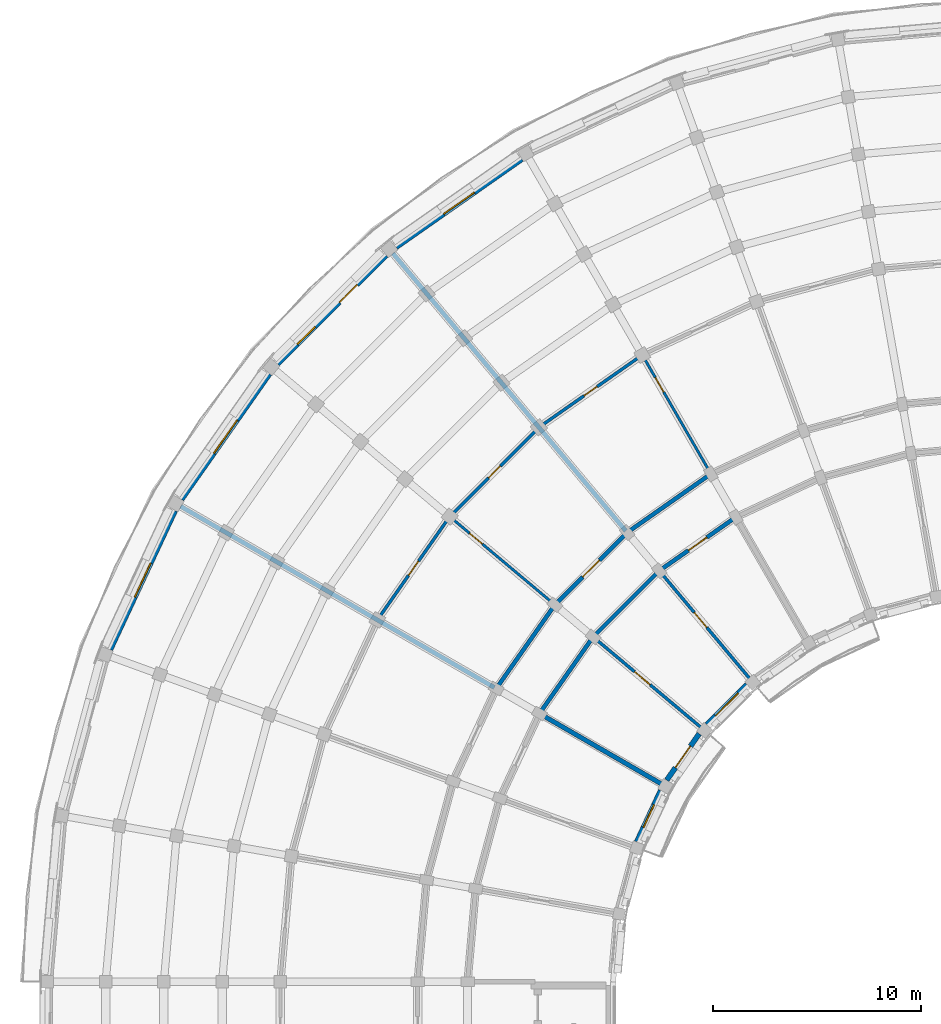
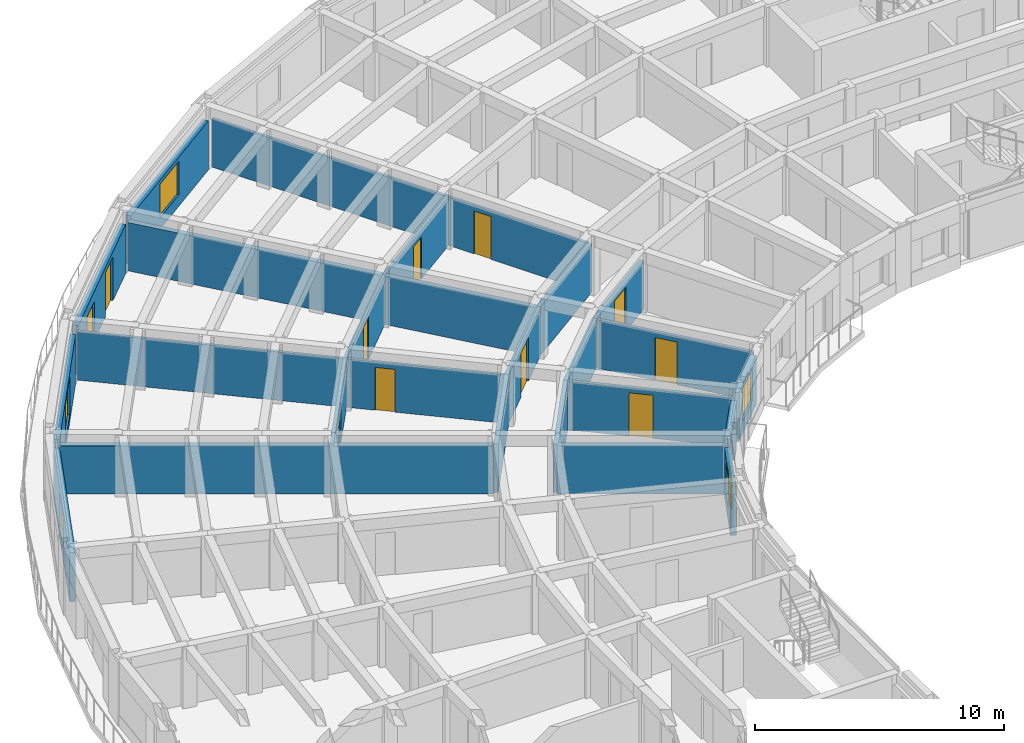
# One storey, part 13 of 36: 23 walls, 11 doors, 6 windows, 17 openings.
"""IFC4 building model written with IfcOpenShell, lengths in metres."""

import ifcopenshell
import ifcopenshell.guid

model = None  # the IFC model being written
_history = None  # IfcOwnerHistory: only IFC2X3 demands one
_inside = {}  # id of a spatial element -> (the spatial element, [elements in it])
_under = {}  # id of a project, library or spatial element -> (it, [spatial elements below it])
_declared = {}  # id of a project -> (the project, [libraries it declares])
_typed = {}  # id of a type object -> (the type object, [elements of that type])
_made_of = {}  # id of a material, layer set ... -> (it, [elements and type objects made of it])


def new_model(schema):
    """Start an empty IFC model of exactly this schema.

    Asked for "IFC4X3", IfcOpenShell would pick the latest addendum, in which some entities
    have other attributes; the version numbers below select the first issue.
    IFC2X3 requires an IfcOwnerHistory on every rooted entity: one is made here for all.
    """
    global model, _history
    if schema == "IFC4X3":
        model = ifcopenshell.file(schema_version=(4, 3, 0, 0))
    else:
        model = ifcopenshell.file(schema=schema)
    _inside.clear()
    _under.clear()
    _declared.clear()
    _typed.clear()
    _made_of.clear()
    _history = None
    if model.schema == "IFC2X3":
        org = make("IfcOrganization", Name="unknown")
        user = make(
            "IfcPersonAndOrganization",
            ThePerson=make("IfcPerson", FamilyName="unknown"),
            TheOrganization=org,
        )
        app = make(
            "IfcApplication",
            ApplicationDeveloper=org,
            Version="unknown",
            ApplicationFullName="unknown",
            ApplicationIdentifier="unknown",
        )
        _history = make(
            "IfcOwnerHistory",
            OwningUser=user,
            OwningApplication=app,
            ChangeAction="ADDED",
            CreationDate=0,
        )
    return model


def make(cls, **values):
    """One entity of the class cls with the attributes given. An attribute that is None is left unset."""
    return model.create_entity(
        cls, **{name: value for name, value in values.items() if value is not None}
    )


def rooted(cls, **values):
    """An entity with a GlobalId (a new one), such as an element, a storey or a relation."""
    return make(cls, GlobalId=ifcopenshell.guid.new(), OwnerHistory=_history, **values)


def si_unit(unit_type, name, prefix=None):
    """IfcSIUnit, for example si_unit("LENGTHUNIT", "METRE", prefix="MILLI")."""
    return make("IfcSIUnit", UnitType=unit_type, Prefix=prefix, Name=name)


def assignment(units):
    """IfcUnitAssignment: the units of a project."""
    return None if units is None else make("IfcUnitAssignment", Units=units)


def point(xyz):
    """IfcCartesianPoint."""
    return None if xyz is None else make("IfcCartesianPoint", Coordinates=xyz)


def direction(xyz):
    """IfcDirection."""
    return None if xyz is None else make("IfcDirection", DirectionRatios=xyz)


def frame(location, z_axis=None, x_axis=None):
    """IfcAxis2Placement3D, a coordinate frame: its origin and axes. An axis left out is left unset."""
    return make(
        "IfcAxis2Placement3D",
        Location=point(location),
        Axis=direction(z_axis),
        RefDirection=direction(x_axis),
    )


def frame_2d(location, x_axis=None):
    """IfcAxis2Placement2D, a coordinate frame in the plane: its origin and x axis."""
    return make(
        "IfcAxis2Placement2D", Location=point(location), RefDirection=direction(x_axis)
    )


def origin():
    """The frame at (0, 0, 0) with its axes left unset."""
    return frame((0.0, 0.0, 0.0))


def place(relative_to, where):
    """IfcLocalPlacement: puts the frame where relative to a parent placement (None: the world)."""
    return make(
        "IfcLocalPlacement", PlacementRelTo=relative_to, RelativePlacement=where
    )


def context(
    kind, dimensions, precision=None, world=None, true_north=None, identifier=None
):
    """IfcGeometricRepresentationContext, for example the 3D "Model" context."""
    return make(
        "IfcGeometricRepresentationContext",
        ContextIdentifier=identifier,
        ContextType=kind,
        CoordinateSpaceDimension=dimensions,
        Precision=precision,
        WorldCoordinateSystem=world,
        TrueNorth=true_north,
    )


def subcontext(parent, identifier, kind, view, scale=None):
    """IfcGeometricRepresentationSubContext, for example "Body" below "Model"."""
    return make(
        "IfcGeometricRepresentationSubContext",
        ContextIdentifier=identifier,
        ContextType=kind,
        ParentContext=parent,
        TargetScale=scale,
        TargetView=view,
    )


def project(units=None, contexts=None):
    """IfcProject with its units and contexts."""
    return rooted(
        "IfcProject",
        Name="project",
        RepresentationContexts=contexts,
        UnitsInContext=assignment(units),
    )


def spatial(cls, under=None, at=None, **own):
    """A site, building, storey or space (cls), placed at a placement, below another one or the project."""
    s = rooted(cls, ObjectPlacement=at, **own)
    if under is not None:
        _under.setdefault(under.id(), (under, []))[1].append(s)
    return s


def profile(cls, at=None, kind="AREA", **sizes):
    """A parametric profile (cls). Its sizes go by their IFC names, for example OverallWidth=200.0."""
    return make(cls, ProfileType=kind, Position=at, **sizes)


def rectangle(**sizes):
    """IfcRectangleProfileDef."""
    return profile("IfcRectangleProfileDef", **sizes)


def extrude(swept, where, along, depth):
    """IfcExtrudedAreaSolid: the profile swept, set in the frame where, extruded along a direction by depth."""
    return make(
        "IfcExtrudedAreaSolid",
        SweptArea=swept,
        Position=where,
        ExtrudedDirection=direction(along),
        Depth=depth,
    )


def shape(context_of_items, identifier, shape_type, items):
    """IfcShapeRepresentation: the items that make up one representation, for example the "Body"."""
    return make(
        "IfcShapeRepresentation",
        ContextOfItems=context_of_items,
        RepresentationIdentifier=identifier,
        RepresentationType=shape_type,
        Items=items,
    )


def material(Name=None, Category=None):
    """IfcMaterial."""
    return make("IfcMaterial", Name=Name, Category=Category)


def layer(
    of_material, thickness, ventilated=None, Name=None, Category=None, Priority=None
):
    """IfcMaterialLayer: one layer of a wall or slab, of a material (None: an air gap)."""
    return make(
        "IfcMaterialLayer",
        Material=of_material,
        LayerThickness=thickness,
        IsVentilated=ventilated,
        Name=Name,
        Category=Category,
        Priority=Priority,
    )


def layer_set(layers, Name=None):
    """IfcMaterialLayerSet."""
    return make("IfcMaterialLayerSet", MaterialLayers=layers, LayerSetName=Name)


def made_of(thing, what):
    """Note that an element or type object is made of a material, layer set ...; save() writes the relation."""
    if what is not None:
        _made_of.setdefault(what.id(), (what, []))[1].append(thing)
    return thing


def type_object(cls, material=None, **own):
    """A type object (cls), such as IfcWallType, which elements share."""
    return made_of(rooted(cls, **own), material)


def element(
    cls,
    number,
    at=None,
    inside=None,
    cuts=None,
    type_object=None,
    material=None,
    context=None,
    identifier="Body",
    shape_type=None,
    held_by="IfcProductDefinitionShape",
    body=None,
    shapes=None,
    **own,
):
    """One element of the class cls, such as IfcWall. Its Tag is "e" and its number.

    at: its placement. inside: the storey or other place that contains it. cuts: it is an
    opening in that element (IfcRelVoidsElement). A single representation is given by context,
    identifier, shape_type and body (its items); several are given by shapes. held_by: the class
    of the entity that holds the representations. save() writes the other relations.
    """
    e = rooted(cls, Tag="e%d" % number, ObjectPlacement=at, **own)
    if body is not None:
        shapes = [shape(context, identifier, shape_type, body)]
    if shapes is not None:
        e.Representation = make(held_by, Representations=shapes)
    if inside is not None:
        _inside.setdefault(inside.id(), (inside, []))[1].append(e)
    if cuts is not None:
        rooted(
            "IfcRelVoidsElement", RelatingBuildingElement=cuts, RelatedOpeningElement=e
        )
    if type_object is not None:
        _typed.setdefault(type_object.id(), (type_object, []))[1].append(e)
    return made_of(e, material)


def fill(opening, filler):
    """IfcRelFillsElement: the door or window that sits in an opening."""
    return rooted(
        "IfcRelFillsElement",
        RelatingOpeningElement=opening,
        RelatedBuildingElement=filler,
    )


def aggregate(whole, parts):
    """IfcRelAggregates: a whole, such as a stair, and the parts it consists of."""
    return rooted("IfcRelAggregates", RelatingObject=whole, RelatedObjects=parts)


def save(model, path):
    """Write the relations noted so far, then the file.

    IfcRelAggregates (storeys below a building ...), IfcRelContainedInSpatialStructure (elements
    in a storey), IfcRelDefinesByType, IfcRelAssociatesMaterial and IfcRelDeclares: one each for
    every whole, place, type object, material and project.
    """
    for whole, parts in _under.values():
        aggregate(whole, parts)
    for where, things in _inside.values():
        rooted(
            "IfcRelContainedInSpatialStructure",
            RelatedElements=things,
            RelatingStructure=where,
        )
    for kind, things in _typed.values():
        rooted("IfcRelDefinesByType", RelatedObjects=things, RelatingType=kind)
    for what, things in _made_of.values():
        rooted("IfcRelAssociatesMaterial", RelatedObjects=things, RelatingMaterial=what)
    for by, libraries in _declared.values():
        rooted("IfcRelDeclares", RelatingContext=by, RelatedDefinitions=libraries)
    model.write(path)


model = new_model("IFC4")

# Units and contexts
model_context = context("Model", 3, precision=1e-05, world=origin(), true_north=direction((0.0, 1.0)))
body_context = subcontext(model_context, "Body", "Model", "MODEL_VIEW")
ifc_project = project(units=[si_unit("LENGTHUNIT", "METRE"), si_unit("AREAUNIT", "SQUARE_METRE"), si_unit("VOLUMEUNIT", "CUBIC_METRE"), si_unit("PLANEANGLEUNIT", "RADIAN"), si_unit("MASSUNIT", "GRAM", prefix="KILO")], contexts=[model_context])

# Site, building, storey
site_placement = place(None, origin())
site = spatial("IfcSite", under=ifc_project, at=site_placement, CompositionType="ELEMENT")
building_placement = place(site_placement, origin())
building = spatial("IfcBuilding", under=site, at=building_placement, Name="Kiranvali Square Residences", CompositionType="ELEMENT")
storey_placement = place(building_placement, frame((0.0, 0.0, 37.050048828125)))
storey = spatial("IfcBuildingStorey", under=building, at=storey_placement, Name="L11", CompositionType="ELEMENT", Elevation=37.050048828125)

# Wall, opening, door
ifc_material_1 = material(Name="Autoclaved aerated concrete blockwork masonry", Category="masonry")
ifc_layer_1 = layer(ifc_material_1, 0.199951171875)
ifc_layer_set_1 = layer_set([ifc_layer_1], Name="Autoclaved aerated concrete blockwork masonry")
wall_type_1 = type_object("IfcWallType", Name="WL-COR-200", PredefinedType="STANDARD", material=ifc_layer_set_1)
wall_1_placement = place(storey_placement, frame((35.300048828125, 110.1435546875, 0.0), z_axis=(0.0, 0.0, 1.0), x_axis=(-0.819155404658, -0.573571637217, 0.0)))
wall_1 = element("IfcWall", 1, at=wall_1_placement, inside=storey, type_object=wall_type_1, Name="L11 architectural wall WL-L11-A-CCI-3", PredefinedType="STANDARD", context=body_context, shape_type="SweptSolid", body=[
    extrude(rectangle(XDim=4.497314453125, YDim=0.199951171875, at=frame_2d((2.24853515625, 0.0))), origin(), (0.0, 0.0, 1.0), 2.3720703125),
])
opening_1_placement = place(wall_1_placement, frame((1.708740234375, 0.0, 0.0)))
opening_1 = element("IfcOpeningElement", 2, at=opening_1_placement, cuts=wall_1, Name="Opening FD-APT-60C", PredefinedType="OPENING", context=body_context, shape_type="SweptSolid", body=[
    extrude(rectangle(XDim=1.080078125, YDim=2.14990234375, at=frame_2d((0.5400390625, 1.074951171875))), frame((0.0, 0.10986328125, 0.0), z_axis=(0.0, -1.0, 0.0), x_axis=(1.0, 0.0, 0.0)), (0.0, 0.0, 1.0), 0.219970703125),
])
ifc_material_2 = material(Name="Fire-rated acoustic hardwood and mineral-core door assembly", Category="wood")
door_type_1 = type_object("IfcDoorType", Name="DR-APT-1080", OperationType="NOTDEFINED", PredefinedType="DOOR", material=ifc_material_2)
door_1_placement = place(opening_1_placement, origin())
door_1 = element("IfcDoor", 3, at=door_1_placement, inside=storey, type_object=door_type_1, Name="L11 door DR-L11-0731 (DR-APT-1080)", OperationType="SINGLE_SWING_LEFT", OverallHeight=2.14990234375, OverallWidth=1.080078125, PredefinedType="DOOR", context=body_context, shape_type="SweptSolid", body=[
    extrude(rectangle(XDim=1.080078125, YDim=2.14990234375, at=frame_2d((0.5400390625, 1.074951171875))), frame((0.0, 0.02490234375, 0.0), z_axis=(0.0, -1.0, 0.0), x_axis=(1.0, 0.0, 0.0)), (0.0, 0.0, 1.0), 0.050048828125),
])
fill(opening_1, door_1)

# Walls
wall_2_placement = place(storey_placement, frame((34.10009765625, 112.221923828125, 0.0), z_axis=(0.0, 0.0, 1.0), x_axis=(-0.819140911474, -0.573592335331, 0.0)))
element("IfcWall", 4, at=wall_2_placement, inside=storey, type_object=wall_type_1, Name="L11 architectural wall WL-L11-A-CCO-3", PredefinedType="STANDARD", context=body_context, shape_type="SweptSolid", body=[
    extrude(rectangle(XDim=4.915771484375, YDim=0.199951171875, at=frame_2d((2.4580078125, 0.0))), origin(), (0.0, 0.0, 1.0), 2.3720703125),
])
wall_3_placement = place(storey_placement, frame((31.615966796875, 107.56396484375, 0.0), z_axis=(0.0, 0.0, 1.0), x_axis=(-0.707106781187, -0.707106781187, 0.0)))
element("IfcWall", 5, at=wall_3_placement, inside=storey, type_object=wall_type_1, Name="L11 architectural wall WL-L11-A-CCI-4", PredefinedType="STANDARD", context=body_context, shape_type="SweptSolid", body=[
    extrude(rectangle(XDim=4.4970703125, YDim=0.199951171875, at=frame_2d((2.24853515625, 0.0))), origin(), (0.0, 0.0, 1.0), 2.3720703125),
])

# Wall, opening, door
wall_4_placement = place(storey_placement, frame((30.073486328125, 109.40234375, 0.0), z_axis=(0.0, 0.0, 1.0), x_axis=(-0.707106781187, -0.707106781187, 0.0)))
wall_4 = element("IfcWall", 6, at=wall_4_placement, inside=storey, type_object=wall_type_1, Name="L11 architectural wall WL-L11-A-CCO-4", PredefinedType="STANDARD", context=body_context, shape_type="SweptSolid", body=[
    extrude(rectangle(XDim=4.91552734375, YDim=0.199951171875, at=frame_2d((2.457763671875, 0.0))), origin(), (0.0, 0.0, 1.0), 2.3720703125),
])
opening_2_placement = place(wall_4_placement, frame((1.8876953125, 0.0, 0.0)))
opening_2 = element("IfcOpeningElement", 7, at=opening_2_placement, cuts=wall_4, Name="Opening FD-APT-60D", PredefinedType="OPENING", context=body_context, shape_type="SweptSolid", body=[
    extrude(rectangle(XDim=1.139892578125, YDim=2.14990234375, at=frame_2d((0.56982421875, 1.074951171875))), frame((0.0, 0.10986328125, 0.0), z_axis=(0.0, -1.0, 0.0), x_axis=(1.0, 0.0, 0.0)), (0.0, 0.0, 1.0), 0.219970703125),
])
door_type_2 = type_object("IfcDoorType", Name="DR-APT-1140", OperationType="NOTDEFINED", PredefinedType="DOOR", material=ifc_material_2)
door_2_placement = place(opening_2_placement, origin())
door_2 = element("IfcDoor", 8, at=door_2_placement, inside=storey, type_object=door_type_2, Name="L11 door DR-L11-0723 (DR-APT-1140)", OperationType="SINGLE_SWING_LEFT", OverallHeight=2.14990234375, OverallWidth=1.139892578125, PredefinedType="DOOR", context=body_context, shape_type="SweptSolid", body=[
    extrude(rectangle(XDim=1.139892578125, YDim=2.14990234375, at=frame_2d((0.56982421875, 1.074951171875))), frame((0.0, 0.02490234375, 0.0), z_axis=(0.0, -1.0, 0.0), x_axis=(1.0, 0.0, 0.0)), (0.0, 0.0, 1.0), 0.050048828125),
])
fill(opening_2, door_2)

# Walls
wall_5_placement = place(storey_placement, frame((28.43603515625, 104.384033203125, 0.0), z_axis=(0.0, 0.0, 1.0), x_axis=(-0.573571637217, -0.819155404658, 0.0)))
element("IfcWall", 9, at=wall_5_placement, inside=storey, type_object=wall_type_1, Name="L11 architectural wall WL-L11-A-CCI-5", PredefinedType="STANDARD", context=body_context, shape_type="SweptSolid", body=[
    extrude(rectangle(XDim=4.497314453125, YDim=0.199951171875, at=frame_2d((2.24853515625, 0.0))), origin(), (0.0, 0.0, 1.0), 2.3720703125),
])
wall_6_placement = place(storey_placement, frame((26.59765625, 105.926513671875, 0.0), z_axis=(0.0, 0.0, 1.0), x_axis=(-0.573592335331, -0.819140911474, 0.0)))
element("IfcWall", 10, at=wall_6_placement, inside=storey, type_object=wall_type_1, Name="L11 architectural wall WL-L11-A-CCO-5", PredefinedType="STANDARD", context=body_context, shape_type="SweptSolid", body=[
    extrude(rectangle(XDim=4.915771484375, YDim=0.199951171875, at=frame_2d((2.4580078125, 0.0))), origin(), (0.0, 0.0, 1.0), 2.3720703125),
])
ifc_layer_2 = layer(ifc_material_1, 0.219970703125)
ifc_layer_set_2 = layer_set([ifc_layer_2], Name="Autoclaved aerated concrete blockwork masonry")
wall_type_2 = type_object("IfcWallType", Name="WL-DEM-220", PredefinedType="STANDARD", material=ifc_layer_set_2)
wall_7_placement = place(storey_placement, frame((30.009033203125, 109.47900390625, 0.0), z_axis=(0.0, 0.0, 1.0), x_axis=(-0.642784757967, 0.766046835987, 0.0)))
element("IfcWall", 11, at=wall_7_placement, inside=storey, type_object=wall_type_2, Name="L11 architectural wall WL-L11-A-RADO-4", PredefinedType="STANDARD", context=body_context, shape_type="SweptSolid", body=[
    extrude(rectangle(XDim=17.419921875, YDim=0.219970703125, at=frame_2d((8.7099609375, 0.0))), origin(), (0.0, 0.0, 1.0), 2.3720703125),
])
wall_8_placement = place(storey_placement, frame((31.74560546875, 97.300048828125, 0.0), z_axis=(0.0, 0.0, 1.0), x_axis=(-0.866026575979, 0.499997969693, 0.0)))
element("IfcWall", 12, at=wall_8_placement, inside=storey, type_object=wall_type_2, Name="L11 architectural wall WL-L11-A-RADI-6", PredefinedType="STANDARD", context=body_context, shape_type="SweptSolid", body=[
    extrude(rectangle(XDim=6.75, YDim=0.219970703125, at=frame_2d((3.375, 0.0))), origin(), (0.0, 0.0, 1.0), 2.3720703125),
])
wall_9_placement = place(storey_placement, frame((23.69140625, 101.949951171875, 0.0), z_axis=(0.0, 0.0, 1.0), x_axis=(-0.866026648973, 0.499997843263, 0.0)))
element("IfcWall", 13, at=wall_9_placement, inside=storey, type_object=wall_type_2, Name="L11 architectural wall WL-L11-A-RADO-6", PredefinedType="STANDARD", context=body_context, shape_type="SweptSolid", body=[
    extrude(rectangle(XDim=17.419921875, YDim=0.219970703125, at=frame_2d((8.7099609375, 0.0))), origin(), (0.0, 0.0, 1.0), 2.3720703125),
])

# Wall, opening, window
ifc_material_3 = material(Name="Breathable lime-rendered clay brick masonry", Category="masonry")
ifc_layer_3 = layer(ifc_material_3, 0.25)
ifc_layer_set_3 = layer_set([ifc_layer_3], Name="Breathable lime-rendered clay brick masonry")
wall_type_3 = type_object("IfcWallType", Name="WL-EXT-250", PredefinedType="STANDARD", material=ifc_layer_set_3)
wall_10_placement = place(storey_placement, frame((25.0048828125, 127.347900390625, 0.0), z_axis=(0.0, 0.0, 1.0), x_axis=(-0.819147839112, -0.573582441919, 0.0)))
wall_10 = element("IfcWall", 14, at=wall_10_placement, inside=storey, type_object=wall_type_3, Name="L11 exterior wall A-L11-CRV-03", PredefinedType="STANDARD", context=body_context, shape_type="SweptSolid", body=[
    extrude(rectangle(XDim=7.366943359375, YDim=0.25, at=frame_2d((3.68359375, 0.0))), origin(), (0.0, 0.0, 1.0), 2.411865234375),
])
opening_3_placement = place(wall_10_placement, frame((2.783447265625, 0.0, 0.56201171875)))
opening_3 = element("IfcOpeningElement", 15, at=opening_3_placement, cuts=wall_10, Name="Opening W-04", PredefinedType="OPENING", context=body_context, shape_type="SweptSolid", body=[
    extrude(rectangle(XDim=1.800048828125, YDim=1.64990234375, at=frame_2d((0.89990234375, 0.824951171875))), frame((0.0, 0.135009765625, 0.0), z_axis=(0.0, -1.0, 0.0), x_axis=(1.0, 0.0, 0.0)), (0.0, 0.0, 1.0), 0.27001953125),
])
ifc_material_4 = material(Name="Solar-control low-e double glazing", Category="glass")
window_type_1 = type_object("IfcWindowType", Name="WIN-RES-1800x1650", PartitioningType="DOUBLE_PANEL_VERTICAL", PredefinedType="WINDOW", material=ifc_material_4)
window_1_placement = place(opening_3_placement, origin())
window_1 = element("IfcWindow", 16, at=window_1_placement, inside=storey, type_object=window_type_1, Name="L11 recessed window A-L11-CRV-03", OverallHeight=1.64990234375, OverallWidth=1.800048828125, PartitioningType="DOUBLE_PANEL_VERTICAL", PredefinedType="WINDOW", context=body_context, shape_type="SweptSolid", body=[
    extrude(rectangle(XDim=1.800048828125, YDim=1.64990234375, at=frame_2d((0.89990234375, 0.824951171875))), frame((0.0, 0.030029296875, 0.0), z_axis=(0.0, -1.0, 0.0), x_axis=(1.0, 0.0, 0.0)), (0.0, 0.0, 1.0), 0.06005859375),
])
fill(opening_3, window_1)

# Wall, openings, door, window
wall_11_placement = place(storey_placement, frame((18.489990234375, 122.719482421875, 0.0), z_axis=(0.0, 0.0, 1.0), x_axis=(-0.707106781187, -0.707106781187, 0.0)))
wall_11 = element("IfcWall", 17, at=wall_11_placement, inside=storey, type_object=wall_type_3, Name="L11 exterior wall A-L11-CRV-04", PredefinedType="STANDARD", context=body_context, shape_type="SweptSolid", body=[
    extrude(rectangle(XDim=7.3671875, YDim=0.25, at=frame_2d((3.68359375, 0.0))), origin(), (0.0, 0.0, 1.0), 2.411865234375),
])
opening_4_placement = place(wall_11_placement, frame((4.83984375, 0.0, 0.412109375)))
opening_4 = element("IfcOpeningElement", 18, at=opening_4_placement, cuts=wall_11, Name="Opening W-06", PredefinedType="OPENING", context=body_context, shape_type="SweptSolid", body=[
    extrude(rectangle(XDim=1.199951171875, YDim=1.5, at=frame_2d((0.60009765625, 0.75))), frame((0.0, 0.135009765625, 0.0), z_axis=(0.0, -1.0, 0.0), x_axis=(1.0, 0.0, 0.0)), (0.0, 0.0, 1.0), 0.27001953125),
])
opening_5_placement = place(wall_11_placement, frame((1.978515625, 0.0, 0.0)))
opening_5 = element("IfcOpeningElement", 19, at=opening_5_placement, cuts=wall_11, Name="Opening ED-BAL-1", PredefinedType="OPENING", context=body_context, shape_type="SweptSolid", body=[
    extrude(rectangle(XDim=1.199951171875, YDim=2.14990234375, at=frame_2d((0.60009765625, 1.074951171875))), frame((0.0, 0.135009765625, 0.0), z_axis=(0.0, -1.0, 0.0), x_axis=(1.0, 0.0, 0.0)), (0.0, 0.0, 1.0), 0.27001953125),
])
ifc_material_5 = material(Name="Anodised bronze aluminium framing", Category="aluminium")
door_type_3 = type_object("IfcDoorType", Name="DR-BAL-1200", OperationType="NOTDEFINED", PredefinedType="DOOR", material=ifc_material_5)
door_3_placement = place(opening_5_placement, frame((1.199951171875, 0.0, 0.0), z_axis=(0.0, 0.0, 1.0), x_axis=(-1.0, 0.0, 0.0)))
door_3 = element("IfcDoor", 20, at=door_3_placement, inside=storey, type_object=door_type_3, Name="L11 balcony terrace door", OperationType="SINGLE_SWING_RIGHT", OverallHeight=2.14990234375, OverallWidth=1.199951171875, PredefinedType="DOOR", context=body_context, shape_type="SweptSolid", body=[
    extrude(rectangle(XDim=1.199951171875, YDim=2.14990234375, at=frame_2d((0.60009765625, 1.074951171875))), frame((0.0, 0.02490234375, 0.0), z_axis=(0.0, -1.0, 0.0), x_axis=(1.0, 0.0, 0.0)), (0.0, 0.0, 1.0), 0.050048828125),
])
fill(opening_5, door_3)
window_type_2 = type_object("IfcWindowType", Name="WIN-RES-1200x1500", PartitioningType="SINGLE_PANEL", PredefinedType="WINDOW", material=ifc_material_4)
window_2_placement = place(opening_4_placement, origin())
window_2 = element("IfcWindow", 21, at=window_2_placement, inside=storey, type_object=window_type_2, Name="L11 recessed window A-L11-CRV-04", OverallHeight=1.5, OverallWidth=1.199951171875, PartitioningType="SINGLE_PANEL", PredefinedType="WINDOW", context=body_context, shape_type="SweptSolid", body=[
    extrude(rectangle(XDim=1.199951171875, YDim=1.5, at=frame_2d((0.60009765625, 0.75))), frame((0.0, 0.030029296875, 0.0), z_axis=(0.0, -1.0, 0.0), x_axis=(1.0, 0.0, 0.0)), (0.0, 0.0, 1.0), 0.06005859375),
])
fill(opening_4, window_2)

# Wall, opening, window
wall_12_placement = place(storey_placement, frame((12.877685546875, 117.02978515625, 0.0), z_axis=(0.0, 0.0, 1.0), x_axis=(-0.573582441919, -0.819147839112, 0.0)))
wall_12 = element("IfcWall", 22, at=wall_12_placement, inside=storey, type_object=wall_type_3, Name="L11 exterior wall A-L11-CRV-05", PredefinedType="STANDARD", context=body_context, shape_type="SweptSolid", body=[
    extrude(rectangle(XDim=7.366943359375, YDim=0.25, at=frame_2d((3.68359375, 0.0))), origin(), (0.0, 0.0, 1.0), 2.411865234375),
])
opening_6_placement = place(wall_12_placement, frame((2.70849609375, 0.0, 0.362060546875)))
opening_6 = element("IfcOpeningElement", 23, at=opening_6_placement, cuts=wall_12, Name="Opening W-12", PredefinedType="OPENING", context=body_context, shape_type="SweptSolid", body=[
    extrude(rectangle(XDim=1.949951171875, YDim=1.85009765625, at=frame_2d((0.97509765625, 0.925048828125))), frame((0.0, 0.135009765625, 0.0), z_axis=(0.0, -1.0, 0.0), x_axis=(1.0, 0.0, 0.0)), (0.0, 0.0, 1.0), 0.27001953125),
])
window_type_3 = type_object("IfcWindowType", Name="WIN-RES-1950x1850", PartitioningType="DOUBLE_PANEL_VERTICAL", PredefinedType="WINDOW", material=ifc_material_4)
window_3_placement = place(opening_6_placement, origin())
window_3 = element("IfcWindow", 24, at=window_3_placement, inside=storey, type_object=window_type_3, Name="L11 recessed window A-L11-CRV-05", OverallHeight=1.85009765625, OverallWidth=1.949951171875, PartitioningType="DOUBLE_PANEL_VERTICAL", PredefinedType="WINDOW", context=body_context, shape_type="SweptSolid", body=[
    extrude(rectangle(XDim=1.949951171875, YDim=1.85009765625, at=frame_2d((0.97509765625, 0.925048828125))), frame((0.0, 0.030029296875, 0.0), z_axis=(0.0, -1.0, 0.0), x_axis=(1.0, 0.0, 0.0)), (0.0, 0.0, 1.0), 0.06005859375),
])
fill(opening_6, window_3)

wall_13_placement = place(storey_placement, frame((8.33837890625, 110.4521484375, 0.0), z_axis=(0.0, 0.0, 1.0), x_axis=(-0.422589730823, -0.906321090675, 0.0)))
wall_13 = element("IfcWall", 25, at=wall_13_placement, inside=storey, type_object=wall_type_3, Name="L11 exterior wall A-L11-CRV-06", PredefinedType="STANDARD", context=body_context, shape_type="SweptSolid", body=[
    extrude(rectangle(XDim=7.3671875, YDim=0.25, at=frame_2d((3.68359375, 0.0))), origin(), (0.0, 0.0, 1.0), 2.411865234375),
])
opening_7_placement = place(wall_13_placement, frame((2.783447265625, 0.0, 0.56201171875)))
opening_7 = element("IfcOpeningElement", 26, at=opening_7_placement, cuts=wall_13, Name="Opening W-04", PredefinedType="OPENING", context=body_context, shape_type="SweptSolid", body=[
    extrude(rectangle(XDim=1.800048828125, YDim=1.64990234375, at=frame_2d((0.89990234375, 0.824951171875))), frame((0.0, 0.135009765625, 0.0), z_axis=(0.0, -1.0, 0.0), x_axis=(1.0, 0.0, 0.0)), (0.0, 0.0, 1.0), 0.27001953125),
])
window_4_placement = place(opening_7_placement, origin())
window_4 = element("IfcWindow", 27, at=window_4_placement, inside=storey, type_object=window_type_1, Name="L11 recessed window A-L11-CRV-06", OverallHeight=1.64990234375, OverallWidth=1.800048828125, PartitioningType="DOUBLE_PANEL_VERTICAL", PredefinedType="WINDOW", context=body_context, shape_type="SweptSolid", body=[
    extrude(rectangle(XDim=1.800048828125, YDim=1.64990234375, at=frame_2d((0.89990234375, 0.824951171875))), frame((0.0, 0.030029296875, 0.0), z_axis=(0.0, -1.0, 0.0), x_axis=(1.0, 0.0, 0.0)), (0.0, 0.0, 1.0), 0.06005859375),
])
fill(opening_7, window_4)

wall_14_placement = place(storey_placement, frame((35.830078125, 102.093017578125, 0.0), z_axis=(0.0, 0.0, 1.0), x_axis=(-0.707106781187, -0.707106781187, 0.0)))
wall_14 = element("IfcWall", 28, at=wall_14_placement, inside=storey, type_object=wall_type_3, Name="L11 exterior wall A-L11-GDN-04", PredefinedType="STANDARD", context=body_context, shape_type="SweptSolid", body=[
    extrude(rectangle(XDim=2.7197265625, YDim=0.25, at=frame_2d((1.35986328125, 0.0))), origin(), (0.0, 0.0, 1.0), 2.421875),
])
opening_8_placement = place(wall_14_placement, frame((0.5849609375, 0.0, 0.6220703125)))
opening_8 = element("IfcOpeningElement", 29, at=opening_8_placement, cuts=wall_14, Name="Opening W-18", PredefinedType="OPENING", context=body_context, shape_type="SweptSolid", body=[
    extrude(rectangle(XDim=1.550048828125, YDim=1.60009765625, at=frame_2d((0.77490234375, 0.800048828125))), frame((0.0, 0.135009765625, 0.0), z_axis=(0.0, -1.0, 0.0), x_axis=(1.0, 0.0, 0.0)), (0.0, 0.0, 1.0), 0.27001953125),
])
window_type_4 = type_object("IfcWindowType", Name="WIN-GDN-1550x1600", PartitioningType="DOUBLE_PANEL_VERTICAL", PredefinedType="WINDOW", material=ifc_material_4)
window_5_placement = place(opening_8_placement, origin())
window_5 = element("IfcWindow", 30, at=window_5_placement, inside=storey, type_object=window_type_4, Name="L11 recessed window A-L11-GDN-04", OverallHeight=1.60009765625, OverallWidth=1.550048828125, PartitioningType="DOUBLE_PANEL_VERTICAL", PredefinedType="WINDOW", context=body_context, shape_type="SweptSolid", body=[
    extrude(rectangle(XDim=1.550048828125, YDim=1.60009765625, at=frame_2d((0.77490234375, 0.800048828125))), frame((0.0, 0.030029296875, 0.0), z_axis=(0.0, -1.0, 0.0), x_axis=(1.0, 0.0, 0.0)), (0.0, 0.0, 1.0), 0.06005859375),
])
fill(opening_8, window_5)

# Wall, opening, door
wall_15_placement = place(storey_placement, frame((33.5361328125, 99.727783203125, 0.0), z_axis=(0.0, 0.0, 1.0), x_axis=(-0.573612950921, -0.819126475299, 0.0)))
wall_15 = element("IfcWall", 31, at=wall_15_placement, inside=storey, type_object=wall_type_3, Name="L11 exterior wall A-L11-GDN-05", PredefinedType="STANDARD", context=body_context, shape_type="SweptSolid", body=[
    extrude(rectangle(XDim=2.7197265625, YDim=0.25, at=frame_2d((1.35986328125, 0.0))), origin(), (0.0, 0.0, 1.0), 2.421875),
])
opening_9_placement = place(wall_15_placement, frame((0.72998046875, 0.0, 0.0)))
opening_9 = element("IfcOpeningElement", 32, at=opening_9_placement, cuts=wall_15, Name="Opening ED-BAL-2", PredefinedType="OPENING", context=body_context, shape_type="SweptSolid", body=[
    extrude(rectangle(XDim=1.260009765625, YDim=2.14990234375, at=frame_2d((0.6298828125, 1.074951171875))), frame((0.0, 0.135009765625, 0.0), z_axis=(0.0, -1.0, 0.0), x_axis=(1.0, 0.0, 0.0)), (0.0, 0.0, 1.0), 0.27001953125),
])
door_type_4 = type_object("IfcDoorType", Name="DR-BAL-1260", OperationType="NOTDEFINED", PredefinedType="DOOR", material=ifc_material_5)
door_4_placement = place(opening_9_placement, origin())
door_4 = element("IfcDoor", 33, at=door_4_placement, inside=storey, type_object=door_type_4, Name="L11 balcony terrace door", OperationType="SINGLE_SWING_LEFT", OverallHeight=2.14990234375, OverallWidth=1.260009765625, PredefinedType="DOOR", context=body_context, shape_type="SweptSolid", body=[
    extrude(rectangle(XDim=1.260009765625, YDim=2.14990234375, at=frame_2d((0.6298828125, 1.074951171875))), frame((0.0, 0.02490234375, 0.0), z_axis=(0.0, -1.0, 0.0), x_axis=(1.0, 0.0, 0.0)), (0.0, 0.0, 1.0), 0.050048828125),
])
fill(opening_9, door_4)

# Wall, opening, window
wall_16_placement = place(storey_placement, frame((31.687744140625, 97.000244140625, 0.0), z_axis=(0.0, 0.0, 1.0), x_axis=(-0.422629903269, -0.906302358412, 0.0)))
wall_16 = element("IfcWall", 34, at=wall_16_placement, inside=storey, type_object=wall_type_3, Name="L11 exterior wall A-L11-GDN-06", PredefinedType="STANDARD", context=body_context, shape_type="SweptSolid", body=[
    extrude(rectangle(XDim=2.7197265625, YDim=0.25, at=frame_2d((1.35986328125, 0.0))), origin(), (0.0, 0.0, 1.0), 2.421875),
])
opening_10_placement = place(wall_16_placement, frame((0.759765625, 0.0, 0.721923828125)))
opening_10 = element("IfcOpeningElement", 35, at=opening_10_placement, cuts=wall_16, Name="Opening W-06", PredefinedType="OPENING", context=body_context, shape_type="SweptSolid", body=[
    extrude(rectangle(XDim=1.199951171875, YDim=1.5, at=frame_2d((0.60009765625, 0.75))), frame((0.0, 0.135009765625, 0.0), z_axis=(0.0, -1.0, 0.0), x_axis=(1.0, 0.0, 0.0)), (0.0, 0.0, 1.0), 0.27001953125),
])
window_6_placement = place(opening_10_placement, origin())
window_6 = element("IfcWindow", 36, at=window_6_placement, inside=storey, type_object=window_type_2, Name="L11 recessed window A-L11-GDN-06", OverallHeight=1.5, OverallWidth=1.199951171875, PartitioningType="SINGLE_PANEL", PredefinedType="WINDOW", context=body_context, shape_type="SweptSolid", body=[
    extrude(rectangle(XDim=1.199951171875, YDim=1.5, at=frame_2d((0.60009765625, 0.75))), frame((0.0, 0.030029296875, 0.0), z_axis=(0.0, -1.0, 0.0), x_axis=(1.0, 0.0, 0.0)), (0.0, 0.0, 1.0), 0.06005859375),
])
fill(opening_10, window_6)

# Wall, opening, door
ifc_material_6 = material(Name="Acoustic gypsum board drylined partition", Category="gypsum")
ifc_layer_4 = layer(ifc_material_6, 0.125)
ifc_layer_set_4 = layer_set([ifc_layer_4], Name="Acoustic gypsum board drylined partition")
wall_type_4 = type_object("IfcWallType", Name="WL-PRT-125", PredefinedType="PARTITIONING", material=ifc_layer_set_4)
wall_17_placement = place(storey_placement, frame((34.050048828125, 112.30859375, 0.0), z_axis=(0.0, 0.0, 1.0), x_axis=(-0.499997843263, 0.866026648973, 0.0)))
wall_17 = element("IfcWall", 37, at=wall_17_placement, inside=storey, type_object=wall_type_4, Name="L11 architectural wall WL-L11-A-RADO-3", PredefinedType="PARTITIONING", context=body_context, shape_type="SweptSolid", body=[
    extrude(rectangle(XDim=17.419921875, YDim=0.125, at=frame_2d((8.7099609375, 0.0))), origin(), (0.0, 0.0, 1.0), 2.3720703125),
])
opening_11_placement = place(wall_17_placement, frame((4.44970703125, 0.0, 0.0)))
opening_11 = element("IfcOpeningElement", 38, at=opening_11_placement, cuts=wall_17, Name="Opening ID-WET", PredefinedType="OPENING", context=body_context, shape_type="SweptSolid", body=[
    extrude(rectangle(XDim=0.800048828125, YDim=2.10009765625, at=frame_2d((0.39990234375, 1.050048828125))), frame((0.0, 0.072509765625, 0.0), z_axis=(0.0, -1.0, 0.0), x_axis=(1.0, 0.0, 0.0)), (0.0, 0.0, 1.0), 0.14501953125),
])
ifc_material_7 = material(Name="Solid seasoned teak hardwood joinery", Category="wood")
door_type_5 = type_object("IfcDoorType", Name="DR-WET-800", OperationType="NOTDEFINED", PredefinedType="DOOR", material=ifc_material_7)
door_5_placement = place(opening_11_placement, origin())
door_5 = element("IfcDoor", 39, at=door_5_placement, inside=storey, type_object=door_type_5, Name="L11 door DR-L11-0709 (DR-WET-800)", OperationType="SINGLE_SWING_LEFT", OverallHeight=2.10009765625, OverallWidth=0.800048828125, PredefinedType="DOOR", context=body_context, shape_type="SweptSolid", body=[
    extrude(rectangle(XDim=0.800048828125, YDim=2.10009765625, at=frame_2d((0.39990234375, 1.050048828125))), frame((0.0, 0.02490234375, 0.0), z_axis=(0.0, -1.0, 0.0), x_axis=(1.0, 0.0, 0.0)), (0.0, 0.0, 1.0), 0.050048828125),
])
fill(opening_11, door_5)

wall_18_placement = place(storey_placement, frame((26.52099609375, 105.990966796875, 0.0), z_axis=(0.0, 0.0, 1.0), x_axis=(-0.766046835987, 0.642784757967, 0.0)))
wall_18 = element("IfcWall", 40, at=wall_18_placement, inside=storey, type_object=wall_type_4, Name="L11 architectural wall WL-L11-A-RADO-5", PredefinedType="PARTITIONING", context=body_context, shape_type="SweptSolid", body=[
    extrude(rectangle(XDim=17.419921875, YDim=0.125, at=frame_2d((8.7099609375, 0.0))), origin(), (0.0, 0.0, 1.0), 2.3720703125),
])
opening_12_placement = place(wall_18_placement, frame((4.44970703125, 0.0, 0.0)))
opening_12 = element("IfcOpeningElement", 41, at=opening_12_placement, cuts=wall_18, Name="Opening ID-WET", PredefinedType="OPENING", context=body_context, shape_type="SweptSolid", body=[
    extrude(rectangle(XDim=0.800048828125, YDim=2.10009765625, at=frame_2d((0.39990234375, 1.050048828125))), frame((0.0, 0.072509765625, 0.0), z_axis=(0.0, -1.0, 0.0), x_axis=(1.0, 0.0, 0.0)), (0.0, 0.0, 1.0), 0.14501953125),
])
door_6_placement = place(opening_12_placement, frame((0.800048828125, 0.0, 0.0), z_axis=(0.0, 0.0, 1.0), x_axis=(-1.0, 0.0, 0.0)))
door_6 = element("IfcDoor", 42, at=door_6_placement, inside=storey, type_object=door_type_5, Name="L11 door DR-L11-0712 (DR-WET-800)", OperationType="SINGLE_SWING_RIGHT", OverallHeight=2.10009765625, OverallWidth=0.800048828125, PredefinedType="DOOR", context=body_context, shape_type="SweptSolid", body=[
    extrude(rectangle(XDim=0.800048828125, YDim=2.10009765625, at=frame_2d((0.39990234375, 1.050048828125))), frame((0.0, 0.02490234375, 0.0), z_axis=(0.0, -1.0, 0.0), x_axis=(1.0, 0.0, 0.0)), (0.0, 0.0, 1.0), 0.050048828125),
])
fill(opening_12, door_6)

ifc_layer_5 = layer(ifc_material_6, 0.14990234375)
ifc_layer_set_5 = layer_set([ifc_layer_5], Name="Acoustic gypsum board drylined partition")
wall_type_5 = type_object("IfcWallType", Name="WL-PRT-150", PredefinedType="PARTITIONING", material=ifc_layer_set_5)
wall_19_placement = place(storey_placement, frame((35.987060546875, 102.354736328125, 0.0), z_axis=(0.0, 0.0, 1.0), x_axis=(-0.642784846501, 0.766046761698, 0.0)))
wall_19 = element("IfcWall", 43, at=wall_19_placement, inside=storey, type_object=wall_type_5, Name="L11 architectural wall WL-L11-A-RADI-4", PredefinedType="PARTITIONING", context=body_context, shape_type="SweptSolid", body=[
    extrude(rectangle(XDim=6.75, YDim=0.14990234375, at=frame_2d((3.375, 0.0))), origin(), (0.0, 0.0, 1.0), 2.3720703125),
])
opening_13_placement = place(wall_19_placement, frame((3.242431640625, 0.0, 0.0)))
opening_13 = element("IfcOpeningElement", 44, at=opening_13_placement, cuts=wall_19, Name="Opening ID-2", PredefinedType="OPENING", context=body_context, shape_type="SweptSolid", body=[
    extrude(rectangle(XDim=0.93994140625, YDim=2.10009765625, at=frame_2d((0.469970703125, 1.050048828125))), frame((0.0, 0.0849609375, 0.0), z_axis=(0.0, -1.0, 0.0), x_axis=(1.0, 0.0, 0.0)), (0.0, 0.0, 1.0), 0.169921875),
])
door_type_6 = type_object("IfcDoorType", Name="DR-INT-940", OperationType="NOTDEFINED", PredefinedType="DOOR", material=ifc_material_7)
door_7_placement = place(opening_13_placement, frame((0.93994140625, 0.0, 0.0), z_axis=(0.0, 0.0, 1.0), x_axis=(-1.0, 0.0, 0.0)))
door_7 = element("IfcDoor", 45, at=door_7_placement, inside=storey, type_object=door_type_6, Name="L11 door DR-L11-0710 (DR-INT-940)", OperationType="SINGLE_SWING_RIGHT", OverallHeight=2.10009765625, OverallWidth=0.93994140625, PredefinedType="DOOR", context=body_context, shape_type="SweptSolid", body=[
    extrude(rectangle(XDim=0.93994140625, YDim=2.10009765625, at=frame_2d((0.469970703125, 1.050048828125))), frame((0.0, 0.02490234375, 0.0), z_axis=(0.0, -1.0, 0.0), x_axis=(1.0, 0.0, 0.0)), (0.0, 0.0, 1.0), 0.050048828125),
])
fill(opening_13, door_7)

wall_20_placement = place(storey_placement, frame((33.645263671875, 100.012939453125, 0.0), z_axis=(0.0, 0.0, 1.0), x_axis=(-0.766046761698, 0.642784846501, 0.0)))
wall_20 = element("IfcWall", 46, at=wall_20_placement, inside=storey, type_object=wall_type_5, Name="L11 architectural wall WL-L11-A-RADI-5", PredefinedType="PARTITIONING", context=body_context, shape_type="SweptSolid", body=[
    extrude(rectangle(XDim=6.75, YDim=0.14990234375, at=frame_2d((3.375, 0.0))), origin(), (0.0, 0.0, 1.0), 2.3720703125),
])
opening_14_placement = place(wall_20_placement, frame((3.222412109375, 0.0, 0.0)))
opening_14 = element("IfcOpeningElement", 47, at=opening_14_placement, cuts=wall_20, Name="Opening ID-3", PredefinedType="OPENING", context=body_context, shape_type="SweptSolid", body=[
    extrude(rectangle(XDim=0.97998046875, YDim=2.1201171875, at=frame_2d((0.489990234375, 1.06005859375))), frame((0.0, 0.0849609375, 0.0), z_axis=(0.0, -1.0, 0.0), x_axis=(1.0, 0.0, 0.0)), (0.0, 0.0, 1.0), 0.169921875),
])
door_type_7 = type_object("IfcDoorType", Name="DR-INT-980", OperationType="NOTDEFINED", PredefinedType="DOOR", material=ifc_material_7)
door_8_placement = place(opening_14_placement, origin())
door_8 = element("IfcDoor", 48, at=door_8_placement, inside=storey, type_object=door_type_7, Name="L11 door DR-L11-0711 (DR-INT-980)", OperationType="SINGLE_SWING_LEFT", OverallHeight=2.1201171875, OverallWidth=0.97998046875, PredefinedType="DOOR", context=body_context, shape_type="SweptSolid", body=[
    extrude(rectangle(XDim=0.97998046875, YDim=2.1201171875, at=frame_2d((0.489990234375, 1.06005859375))), frame((0.0, 0.02490234375, 0.0), z_axis=(0.0, -1.0, 0.0), x_axis=(1.0, 0.0, 0.0)), (0.0, 0.0, 1.0), 0.050048828125),
])
fill(opening_14, door_8)

ifc_layer_6 = layer(ifc_material_1, 0.14990234375)
ifc_layer_set_6 = layer_set([ifc_layer_6], Name="Autoclaved aerated concrete blockwork masonry")
wall_type_6 = type_object("IfcWallType", Name="WL-WET-150", PredefinedType="PLUMBINGWALL", material=ifc_layer_set_6)
wall_21_placement = place(storey_placement, frame((30.800048828125, 117.937744140625, 0.0), z_axis=(0.0, 0.0, 1.0), x_axis=(-0.81913926159, -0.573594691504, 0.0)))
wall_21 = element("IfcWall", 49, at=wall_21_placement, inside=storey, type_object=wall_type_6, Name="L11 architectural wall WL-L11-A-CWET-3", PredefinedType="PLUMBINGWALL", context=body_context, shape_type="SweptSolid", body=[
    extrude(rectangle(XDim=6.066162109375, YDim=0.14990234375, at=frame_2d((3.033203125, 0.0))), origin(), (0.0, 0.0, 1.0), 2.3720703125),
])
opening_15_placement = place(wall_21_placement, frame((2.653076171875, 0.0, 0.0)))
opening_15 = element("IfcOpeningElement", 50, at=opening_15_placement, cuts=wall_21, Name="Opening ID-WET0", PredefinedType="OPENING", context=body_context, shape_type="SweptSolid", body=[
    extrude(rectangle(XDim=0.760009765625, YDim=2.050048828125, at=frame_2d((0.3798828125, 1.02490234375))), frame((0.0, 0.0849609375, 0.0), z_axis=(0.0, -1.0, 0.0), x_axis=(1.0, 0.0, 0.0)), (0.0, 0.0, 1.0), 0.169921875),
])
door_type_8 = type_object("IfcDoorType", Name="DR-WET-760", OperationType="NOTDEFINED", PredefinedType="DOOR", material=ifc_material_7)
door_9_placement = place(opening_15_placement, frame((0.760009765625, 0.0, 0.0), z_axis=(0.0, 0.0, 1.0), x_axis=(-1.0, 0.0, 0.0)))
door_9 = element("IfcDoor", 51, at=door_9_placement, inside=storey, type_object=door_type_8, Name="L11 door DR-L11-0722 (DR-WET-760)", OperationType="SINGLE_SWING_RIGHT", OverallHeight=2.050048828125, OverallWidth=0.760009765625, PredefinedType="DOOR", context=body_context, shape_type="SweptSolid", body=[
    extrude(rectangle(XDim=0.760009765625, YDim=2.050048828125, at=frame_2d((0.3798828125, 1.02490234375))), frame((0.0, 0.02490234375, 0.0), z_axis=(0.0, -1.0, 0.0), x_axis=(1.0, 0.0, 0.0)), (0.0, 0.0, 1.0), 0.050048828125),
])
fill(opening_15, door_9)

wall_22_placement = place(storey_placement, frame((25.8310546875, 114.458251953125, 0.0), z_axis=(0.0, 0.0, 1.0), x_axis=(-0.707106781187, -0.707106781187, 0.0)))
wall_22 = element("IfcWall", 52, at=wall_22_placement, inside=storey, type_object=wall_type_6, Name="L11 architectural wall WL-L11-A-CWET-4", PredefinedType="PLUMBINGWALL", context=body_context, shape_type="SweptSolid", body=[
    extrude(rectangle(XDim=6.06591796875, YDim=0.14990234375, at=frame_2d((3.032958984375, 0.0))), origin(), (0.0, 0.0, 1.0), 2.3720703125),
])
opening_16_placement = place(wall_22_placement, frame((2.633056640625, 0.0, 0.0)))
opening_16 = element("IfcOpeningElement", 53, at=opening_16_placement, cuts=wall_22, Name="Opening ID-WET", PredefinedType="OPENING", context=body_context, shape_type="SweptSolid", body=[
    extrude(rectangle(XDim=0.800048828125, YDim=2.10009765625, at=frame_2d((0.39990234375, 1.050048828125))), frame((0.0, 0.0849609375, 0.0), z_axis=(0.0, -1.0, 0.0), x_axis=(1.0, 0.0, 0.0)), (0.0, 0.0, 1.0), 0.169921875),
])
door_10_placement = place(opening_16_placement, frame((0.800048828125, 0.0, 0.0), z_axis=(0.0, 0.0, 1.0), x_axis=(-1.0, 0.0, 0.0)))
door_10 = element("IfcDoor", 54, at=door_10_placement, inside=storey, type_object=door_type_5, Name="L11 door DR-L11-0724 (DR-WET-800)", OperationType="SINGLE_SWING_RIGHT", OverallHeight=2.10009765625, OverallWidth=0.800048828125, PredefinedType="DOOR", context=body_context, shape_type="SweptSolid", body=[
    extrude(rectangle(XDim=0.800048828125, YDim=2.10009765625, at=frame_2d((0.39990234375, 1.050048828125))), frame((0.0, 0.02490234375, 0.0), z_axis=(0.0, -1.0, 0.0), x_axis=(1.0, 0.0, 0.0)), (0.0, 0.0, 1.0), 0.050048828125),
])
fill(opening_16, door_10)

wall_23_placement = place(storey_placement, frame((21.541748046875, 110.1689453125, 0.0), z_axis=(0.0, 0.0, 1.0), x_axis=(-0.573594691504, -0.81913926159, 0.0)))
wall_23 = element("IfcWall", 55, at=wall_23_placement, inside=storey, type_object=wall_type_6, Name="L11 architectural wall WL-L11-A-CWET-5", PredefinedType="PLUMBINGWALL", context=body_context, shape_type="SweptSolid", body=[
    extrude(rectangle(XDim=6.066162109375, YDim=0.14990234375, at=frame_2d((3.033203125, 0.0))), origin(), (0.0, 0.0, 1.0), 2.3720703125),
])
opening_17_placement = place(wall_23_placement, frame((2.613037109375, 0.0, 0.0)))
opening_17 = element("IfcOpeningElement", 56, at=opening_17_placement, cuts=wall_23, Name="Opening ID-WET2", PredefinedType="OPENING", context=body_context, shape_type="SweptSolid", body=[
    extrude(rectangle(XDim=0.840087890625, YDim=2.10009765625, at=frame_2d((0.419921875, 1.050048828125))), frame((0.0, 0.0849609375, 0.0), z_axis=(0.0, -1.0, 0.0), x_axis=(1.0, 0.0, 0.0)), (0.0, 0.0, 1.0), 0.169921875),
])
door_type_9 = type_object("IfcDoorType", Name="DR-WET-840", OperationType="NOTDEFINED", PredefinedType="DOOR", material=ifc_material_7)
door_11_placement = place(opening_17_placement, origin())
door_11 = element("IfcDoor", 57, at=door_11_placement, inside=storey, type_object=door_type_9, Name="L11 door DR-L11-0725 (DR-WET-840)", OperationType="SINGLE_SWING_LEFT", OverallHeight=2.10009765625, OverallWidth=0.840087890625, PredefinedType="DOOR", context=body_context, shape_type="SweptSolid", body=[
    extrude(rectangle(XDim=0.840087890625, YDim=2.10009765625, at=frame_2d((0.419921875, 1.050048828125))), frame((0.0, 0.02490234375, 0.0), z_axis=(0.0, -1.0, 0.0), x_axis=(1.0, 0.0, 0.0)), (0.0, 0.0, 1.0), 0.050048828125),
])
fill(opening_17, door_11)

save(model, "model.ifc")
